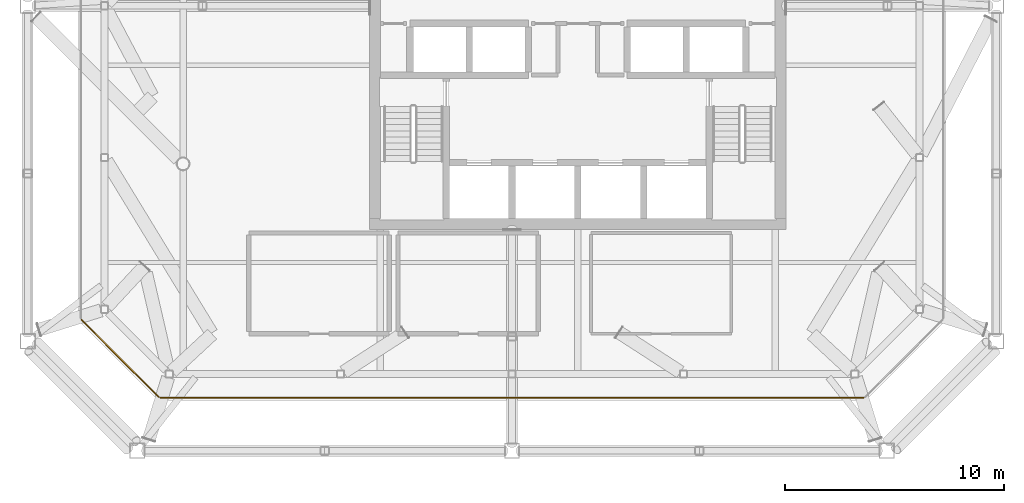
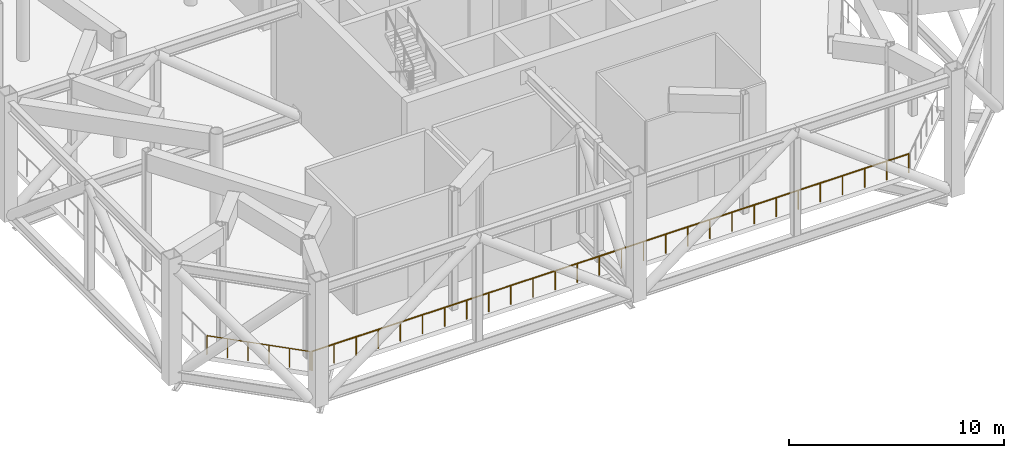
# One storey, part 13 of 17: 2 railings.
"""IFC4 building model written with IfcOpenShell, lengths in metres."""

from ifc_helpers import new_model, si_unit, direction, frame, origin, origin_2d, place, context, subcontext, project, spatial, circle, extrude, material, type_object, element, save


model = new_model("IFC4")

# Units and contexts
model_context = context("Model", 3, precision=1e-05, world=origin(), true_north=direction((0.0, 1.0)))
body_context = subcontext(model_context, "Body", "Model", "MODEL_VIEW")
ifc_project = project(units=[si_unit("LENGTHUNIT", "METRE"), si_unit("AREAUNIT", "SQUARE_METRE"), si_unit("VOLUMEUNIT", "CUBIC_METRE"), si_unit("PLANEANGLEUNIT", "RADIAN"), si_unit("MASSUNIT", "GRAM", prefix="KILO")], contexts=[model_context])

# Site, building, storey
site_placement = place(None, origin())
site = spatial("IfcSite", under=ifc_project, at=site_placement, CompositionType="ELEMENT")
building_placement = place(site_placement, origin())
building = spatial("IfcBuilding", under=site, at=building_placement, Name="Tskaro Facet Tower", CompositionType="ELEMENT")
storey_placement = place(building_placement, frame((0.0, 0.0, 210.0)))
storey = spatial("IfcBuildingStorey", under=building, at=storey_placement, Name="L54", CompositionType="ELEMENT", Elevation=210.0)

# Railings
ifc_material = material(Name="Bronze anodised aluminium 6063-T6", Category="aluminium")
railing_type = type_object("IfcRailingType", Name="Bronze guard rail (GD1)", PredefinedType="GUARDRAIL", material=ifc_material)
railing_1_placement = place(storey_placement, frame((-19.034912109375, -19.6630859375, 0.0)))
element("IfcRailing", 1, at=railing_1_placement, inside=storey, type_object=railing_type, Name="Guard L54", PredefinedType="GUARDRAIL", context=body_context, shape_type="SweptSolid", body=[
    extrude(circle(Radius=0.02490234375, at=origin_2d()), frame((0.0, 0.0, 1.0751953125), z_axis=(1.0, 0.0, 0.0), x_axis=(0.0, 1.0, 0.0)), (0.0, 0.0, 1.0), 32.06982421875),
    extrude(circle(Radius=0.02001953125, at=origin_2d()), origin(), (0.0, 0.0, 1.0), 1.050048828125),
    extrude(circle(Radius=0.02001953125, at=origin_2d()), frame((1.187744140625, 0.0, 0.0)), (0.0, 0.0, 1.0), 1.050048828125),
    extrude(circle(Radius=0.02001953125, at=origin_2d()), frame((2.37548828125, 0.0, 0.0)), (0.0, 0.0, 1.0), 1.050048828125),
    extrude(circle(Radius=0.02001953125, at=origin_2d()), frame((3.563232421875, 0.0, 0.0)), (0.0, 0.0, 1.0), 1.050048828125),
    extrude(circle(Radius=0.02001953125, at=origin_2d()), frame((4.7509765625, 0.0, 0.0)), (0.0, 0.0, 1.0), 1.050048828125),
    extrude(circle(Radius=0.02001953125, at=origin_2d()), frame((5.93896484375, 0.0, 0.0)), (0.0, 0.0, 1.0), 1.050048828125),
    extrude(circle(Radius=0.02001953125, at=origin_2d()), frame((7.126708984375, 0.0, 0.0)), (0.0, 0.0, 1.0), 1.050048828125),
    extrude(circle(Radius=0.02001953125, at=origin_2d()), frame((8.314453125, 0.0, 0.0)), (0.0, 0.0, 1.0), 1.050048828125),
    extrude(circle(Radius=0.02001953125, at=origin_2d()), frame((9.502197265625, 0.0, 0.0)), (0.0, 0.0, 1.0), 1.050048828125),
    extrude(circle(Radius=0.02001953125, at=origin_2d()), frame((10.68994140625, 0.0, 0.0)), (0.0, 0.0, 1.0), 1.050048828125),
    extrude(circle(Radius=0.02001953125, at=origin_2d()), frame((11.877685546875, 0.0, 0.0)), (0.0, 0.0, 1.0), 1.050048828125),
    extrude(circle(Radius=0.02001953125, at=origin_2d()), frame((13.0654296875, 0.0, 0.0)), (0.0, 0.0, 1.0), 1.050048828125),
    extrude(circle(Radius=0.02001953125, at=origin_2d()), frame((14.253173828125, 0.0, 0.0)), (0.0, 0.0, 1.0), 1.050048828125),
    extrude(circle(Radius=0.02001953125, at=origin_2d()), frame((15.44091796875, 0.0, 0.0)), (0.0, 0.0, 1.0), 1.050048828125),
    extrude(circle(Radius=0.02001953125, at=origin_2d()), frame((16.62890625, 0.0, 0.0)), (0.0, 0.0, 1.0), 1.050048828125),
    extrude(circle(Radius=0.02001953125, at=origin_2d()), frame((17.816650390625, 0.0, 0.0)), (0.0, 0.0, 1.0), 1.050048828125),
    extrude(circle(Radius=0.02001953125, at=origin_2d()), frame((19.00439453125, 0.0, 0.0)), (0.0, 0.0, 1.0), 1.050048828125),
    extrude(circle(Radius=0.02001953125, at=origin_2d()), frame((20.192138671875, 0.0, 0.0)), (0.0, 0.0, 1.0), 1.050048828125),
    extrude(circle(Radius=0.02001953125, at=origin_2d()), frame((21.3798828125, 0.0, 0.0)), (0.0, 0.0, 1.0), 1.050048828125),
    extrude(circle(Radius=0.02001953125, at=origin_2d()), frame((22.567626953125, 0.0, 0.0)), (0.0, 0.0, 1.0), 1.050048828125),
    extrude(circle(Radius=0.02001953125, at=origin_2d()), frame((23.75537109375, 0.0, 0.0)), (0.0, 0.0, 1.0), 1.050048828125),
    extrude(circle(Radius=0.02001953125, at=origin_2d()), frame((24.943115234375, 0.0, 0.0)), (0.0, 0.0, 1.0), 1.050048828125),
    extrude(circle(Radius=0.02001953125, at=origin_2d()), frame((26.130859375, 0.0, 0.0)), (0.0, 0.0, 1.0), 1.050048828125),
    extrude(circle(Radius=0.02001953125, at=origin_2d()), frame((27.31884765625, 0.0, 0.0)), (0.0, 0.0, 1.0), 1.050048828125),
    extrude(circle(Radius=0.02001953125, at=origin_2d()), frame((28.506591796875, 0.0, 0.0)), (0.0, 0.0, 1.0), 1.050048828125),
    extrude(circle(Radius=0.02001953125, at=origin_2d()), frame((29.6943359375, 0.0, 0.0)), (0.0, 0.0, 1.0), 1.050048828125),
    extrude(circle(Radius=0.02001953125, at=origin_2d()), frame((30.882080078125, 0.0, 0.0)), (0.0, 0.0, 1.0), 1.050048828125),
    extrude(circle(Radius=0.02001953125, at=origin_2d()), frame((32.06982421875, 0.0, 0.0)), (0.0, 0.0, 1.0), 1.050048828125),
])
railing_2_placement = place(storey_placement, frame((-22.631103515625, -16.11181640625, 0.0)))
element("IfcRailing", 2, at=railing_2_placement, inside=storey, type_object=railing_type, Name="Guard L54", PredefinedType="GUARDRAIL", context=body_context, shape_type="SweptSolid", body=[
    extrude(circle(Radius=0.02490234375, at=origin_2d()), frame((0.0, 0.0, 1.0751953125), z_axis=(0.707106781187, -0.707106781187, 0.0), x_axis=(0.707106781187, 0.707106781187, 0.0)), (0.0, 0.0, 1.0), 4.97705078125),
    extrude(circle(Radius=0.02001953125, at=origin_2d()), origin(), (0.0, 0.0, 1.0), 1.050048828125),
    extrude(circle(Radius=0.02001953125, at=origin_2d()), frame((0.703857421875, -0.703857421875, 0.0)), (0.0, 0.0, 1.0), 1.050048828125),
    extrude(circle(Radius=0.02001953125, at=origin_2d()), frame((1.40771484375, -1.40771484375, 0.0)), (0.0, 0.0, 1.0), 1.050048828125),
    extrude(circle(Radius=0.02001953125, at=origin_2d()), frame((2.111572265625, -2.111572265625, 0.0)), (0.0, 0.0, 1.0), 1.050048828125),
    extrude(circle(Radius=0.02001953125, at=origin_2d()), frame((2.8154296875, -2.8154296875, 0.0)), (0.0, 0.0, 1.0), 1.050048828125),
    extrude(circle(Radius=0.02001953125, at=origin_2d()), frame((3.519287109375, -3.519287109375, 0.0)), (0.0, 0.0, 1.0), 1.050048828125),
])

save(model, "model.ifc")
